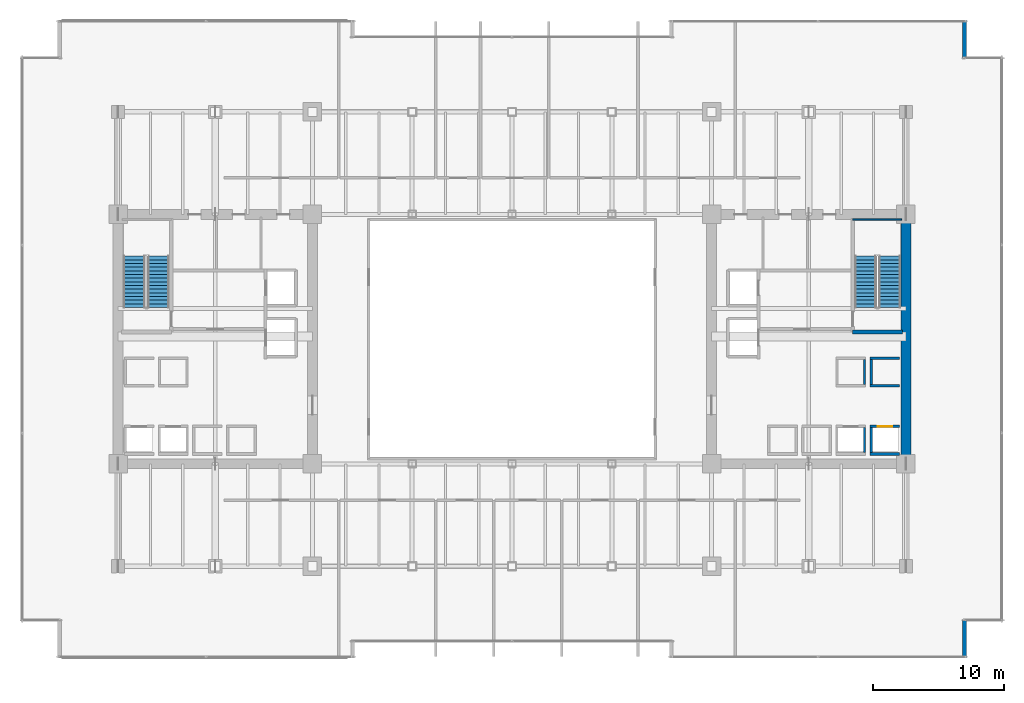
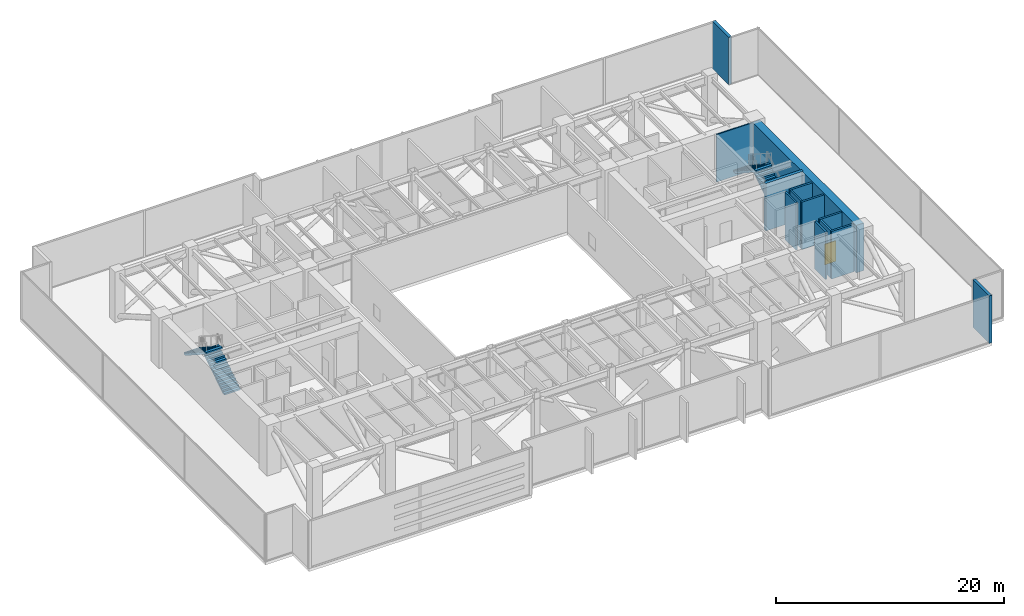
# One storey, part 35 of 38: 13 walls, 4 stair flights, 1 door, 1 opening, 2 elements without a shape of their own.
"""IFC4 building model written with IfcOpenShell, lengths in metres."""

from ifc_helpers import new_model, si_unit, direction, frame, frame_2d, origin, place, context, subcontext, project, spatial, polyline, rectangle, outline, extrude, source, transform, mapped, material, layer, layer_set, type_object, type_shapes, element, fill, aggregate, save


model = new_model("IFC4")

# Units and contexts
model_context = context("Model", 3, precision=1e-05, world=origin(), true_north=direction((0.0, 1.0)))
body_context = subcontext(model_context, "Body", "Model", "MODEL_VIEW")
ifc_project = project(units=[si_unit("LENGTHUNIT", "METRE"), si_unit("AREAUNIT", "SQUARE_METRE"), si_unit("VOLUMEUNIT", "CUBIC_METRE"), si_unit("PLANEANGLEUNIT", "RADIAN"), si_unit("MASSUNIT", "GRAM", prefix="KILO")], contexts=[model_context])

# Site, building, storey
site_placement = place(None, origin())
site = spatial("IfcSite", under=ifc_project, at=site_placement, CompositionType="ELEMENT")
building_placement = place(site_placement, origin())
building = spatial("IfcBuilding", under=site, at=building_placement, Name="Haelvirn Gate Laboratories", CompositionType="ELEMENT")
storey_placement = place(building_placement, frame((0.0, 0.0, 94.89990234375)))
storey = spatial("IfcBuildingStorey", under=building, at=storey_placement, Name="L23", CompositionType="ELEMENT", Elevation=94.89990234375)

# Walls
ifc_material_1 = material(Name="Thermally-broken bronze aluminium rainscreen & mineral wool", Category="aluminium")
ifc_layer_1 = layer(ifc_material_1, 0.280029296875, Name="EW-TERR-280")
ifc_layer_set_1 = layer_set([ifc_layer_1], Name="Thermally-broken bronze aluminium rainscreen & mineral wool")
wall_type_1 = type_object("IfcWallType", Name="EW-TERR-280", PredefinedType="STANDARD", material=ifc_layer_set_1)
wall_1_placement = place(storey_placement, frame((71.860107421875, 0.0, 0.0), z_axis=(0.0, 0.0, 1.0), x_axis=(0.0, 1.0, 0.0)))
element("IfcWall", 1, at=wall_1_placement, inside=storey, type_object=wall_type_1, Name="L23 Atrium Recess Bronze Return Wall 05", PredefinedType="STANDARD", context=body_context, shape_type="SweptSolid", body=[
    extrude(rectangle(XDim=2.887939453125, YDim=0.280029296875, at=frame_2d((1.44384765625, 0.0))), origin(), (0.0, 0.0, 1.0), 5.090087890625),
])
wall_2_placement = place(storey_placement, frame((71.860107421875, 45.7119140625, 0.0), z_axis=(0.0, 0.0, 1.0), x_axis=(0.0, 1.0, 0.0)))
element("IfcWall", 2, at=wall_2_placement, inside=storey, type_object=wall_type_1, Name="L23 Atrium Recess Bronze Return Wall 09", PredefinedType="STANDARD", context=body_context, shape_type="SweptSolid", body=[
    extrude(rectangle(XDim=2.88818359375, YDim=0.280029296875, at=frame_2d((1.444091796875, 0.0))), origin(), (0.0, 0.0, 1.0), 5.090087890625),
])
ifc_material_2 = material(Name="Concrete C40/50", Category="concrete")
ifc_layer_2 = layer(ifc_material_2, 0.179931640625, Name="IW-SHAFT-180")
ifc_layer_set_2 = layer_set([ifc_layer_2], Name="Concrete C40/50")
wall_type_2 = type_object("IfcWallType", Name="IW-SHAFT-180", PredefinedType="SOLIDWALL", material=ifc_layer_set_2)
for number, where, z_axis, x_axis, name in (
    (3, (64.75, 15.64990234375, 0.0), (0.0, 0.0, 1.0), (0.0, 1.0, 0.0), "L23 Interior Wall IW-L23-PL3-SD"),
    (4, (64.25, 15.64990234375, 0.0), (0.0, 0.0, 1.0), (0.0, 1.0, 0.0), "L23 Interior Wall IW-L23-PL4-SDE"),
):
    element("IfcWall", number, at=place(storey_placement, frame(where, z_axis=z_axis, x_axis=x_axis)), inside=storey, type_object=wall_type_2, Name=name, PredefinedType="SOLIDWALL", context=body_context, shape_type="SweptSolid", body=[
        extrude(rectangle(XDim=1.900146484375, YDim=0.179931640625, at=frame_2d((0.9501953125, 0.0))), origin(), (0.0, 0.0, 1.0), 5.090087890625),
    ])
for number, where, z_axis, x_axis, name in (
    (5, (64.75, 20.85009765625, 0.0), (0.0, 0.0, 1.0), (0.0, 1.0, 0.0), "L23 Interior Wall IW-L23-PL11-SD"),
    (6, (64.25, 20.85009765625, 0.0), (0.0, 0.0, 1.0), (0.0, 1.0, 0.0), "L23 Interior Wall IW-L23-PL12-SDE"),
):
    element("IfcWall", number, at=place(storey_placement, frame(where, z_axis=z_axis, x_axis=x_axis)), inside=storey, type_object=wall_type_2, Name=name, PredefinedType="SOLIDWALL", context=body_context, shape_type="SweptSolid", body=[
        extrude(rectangle(XDim=1.89990234375, YDim=0.179931640625, at=frame_2d((0.949951171875, 0.0))), origin(), (0.0, 0.0, 1.0), 5.090087890625),
    ])

# Wall, opening, door
ifc_layer_3 = layer(ifc_material_2, 0.199951171875, Name="IW-SHAFT-200")
ifc_layer_set_3 = layer_set([ifc_layer_3], Name="Concrete C40/50")
wall_type_3 = type_object("IfcWallType", Name="IW-SHAFT-200", PredefinedType="SOLIDWALL", material=ifc_layer_set_3)
wall_3_placement = place(storey_placement, frame((64.669921875, 17.64990234375, 0.0), z_axis=(0.0, 0.0, 1.0), x_axis=(1.0, 0.0, 0.0)))
wall_3 = element("IfcWall", 7, at=wall_3_placement, inside=storey, type_object=wall_type_3, Name="L23 Interior Wall IW-L23-PL3-FR", PredefinedType="SOLIDWALL", context=body_context, shape_type="SweptSolid", body=[
    extrude(rectangle(XDim=2.260009765625, YDim=0.199951171875, at=frame_2d((1.1298828125, 0.0))), origin(), (0.0, 0.0, 1.0), 5.090087890625),
])
opening_placement = place(wall_3_placement, frame((0.580078125, 0.0, 0.0)))
opening = element("IfcOpeningElement", 8, at=opening_placement, cuts=wall_3, Name="Opening LD2", PredefinedType="OPENING", context=body_context, shape_type="SweptSolid", body=[
    extrude(rectangle(XDim=1.10009765625, YDim=2.219970703125, at=frame_2d((0.550048828125, 1.10986328125))), frame((0.0, 0.10986328125, 0.0), z_axis=(0.0, -1.0, 0.0), x_axis=(1.0, 0.0, 0.0)), (0.0, 0.0, 1.0), 0.219970703125),
])
ifc_material_3 = material(Name="Bronze stainless 316L sliding lift landing door")
door_type = type_object("IfcDoorType", Name="DR-LD-1100", OperationType="NOTDEFINED", PredefinedType="USERDEFINED", material=ifc_material_3)
shared_shape_1 = source(origin(), body_context, "Body", "SweptSolid", [
    extrude(rectangle(XDim=1.10009765625, YDim=2.219970703125, at=frame_2d((0.550048828125, 1.10986328125))), frame((0.0, 0.02490234375, 0.0), z_axis=(0.0, -1.0, 0.0), x_axis=(1.0, 0.0, 0.0)), (0.0, 0.0, 1.0), 0.050048828125),
])
type_shapes(door_type, [shared_shape_1])
door_placement = place(opening_placement, origin())
door = element("IfcDoor", 9, at=door_placement, inside=storey, type_object=door_type, Name="L23 Passenger Lift PL3 Landing Door", ObjectType="LANDING_DOOR", OperationType="SLIDING_TO_LEFT", OverallHeight=2.219970703125, OverallWidth=1.10009765625, PredefinedType="USERDEFINED", context=body_context, shape_type="MappedRepresentation", body=[
    mapped(shared_shape_1, transform((0.0, 0.0, 0.0), scale=1.0)),
])
fill(opening, door)

# Walls
for number, where, z_axis, x_axis, name in (
    (10, (64.669921875, 15.550048828125, 0.0), (0.0, 0.0, 1.0), (1.0, 0.0, 0.0), "L23 Interior Wall IW-L23-PL3-BK"),
    (11, (64.669921875, 20.75, 0.0), (0.0, 0.0, 1.0), (1.0, 0.0, 0.0), "L23 Interior Wall IW-L23-PL11-FR"),
    (12, (64.669921875, 22.85009765625, 0.0), (0.0, 0.0, 1.0), (1.0, 0.0, 0.0), "L23 Interior Wall IW-L23-PL11-BK"),
):
    element("IfcWall", number, at=place(storey_placement, frame(where, z_axis=z_axis, x_axis=x_axis)), inside=storey, type_object=wall_type_3, Name=name, PredefinedType="SOLIDWALL", context=body_context, shape_type="SweptSolid", body=[
        extrude(rectangle(XDim=2.260009765625, YDim=0.199951171875, at=frame_2d((1.1298828125, 0.0))), origin(), (0.0, 0.0, 1.0), 5.090087890625),
    ])
ifc_material_4 = material(Name="Concrete C70/85", Category="concrete")
ifc_layer_4 = layer(ifc_material_4, 0.75, Name="SW-CORE-750")
ifc_layer_set_4 = layer_set([ifc_layer_4], Name="Concrete C70/85")
wall_type_4 = type_object("IfcWallType", Name="SW-CORE-750", PredefinedType="SHEAR", material=ifc_layer_set_4)
wall_4_placement = place(storey_placement, frame((67.39990234375, 15.175048828125, 0.0), z_axis=(0.0, 0.0, 1.0), x_axis=(0.0, 1.0, 0.0)))
element("IfcWall", 13, at=wall_4_placement, inside=storey, type_object=wall_type_4, Name="L23 E Core Shear Wall E", PredefinedType="SHEAR", context=body_context, shape_type="SweptSolid", body=[
    extrude(rectangle(XDim=18.25, YDim=0.75, at=frame_2d((9.125, 0.0))), origin(), (0.0, 0.0, 1.0), 5.090087890625),
])
ifc_material_5 = material(Name="Concrete C50/60", Category="concrete")
ifc_layer_5 = layer(ifc_material_5, 0.1201171875, Name="SW-LINER-120")
ifc_layer_set_5 = layer_set([ifc_layer_5], Name="Concrete C50/60")
wall_type_5 = type_object("IfcWallType", Name="SW-LINER-120", PredefinedType="SOLIDWALL", material=ifc_layer_set_5)
wall_5_placement = place(storey_placement, frame((63.35009765625, 33.39990234375, 0.0), z_axis=(0.0, 0.0, 1.0), x_axis=(1.0, 0.0, 0.0)))
element("IfcWall", 14, at=wall_5_placement, inside=storey, type_object=wall_type_5, Name="L23 E Core Stair Shaft Liner Wall N", PredefinedType="SOLIDWALL", context=body_context, shape_type="SweptSolid", body=[
    extrude(rectangle(XDim=3.719970703125, YDim=0.1201171875, at=frame_2d((1.85986328125, 0.0))), origin(), (0.0, 0.0, 1.0), 5.090087890625),
])
ifc_layer_6 = layer(ifc_material_5, 0.300048828125, Name="SW-STAIR-300")
ifc_layer_set_6 = layer_set([ifc_layer_6], Name="Concrete C50/60")
wall_type_6 = type_object("IfcWallType", Name="SW-STAIR-300", PredefinedType="SHEAR", material=ifc_layer_set_6)
wall_6_placement = place(storey_placement, frame((63.35009765625, 24.85009765625, 0.0), z_axis=(0.0, 0.0, 1.0), x_axis=(1.0, 0.0, 0.0)))
element("IfcWall", 15, at=wall_6_placement, inside=storey, type_object=wall_type_6, Name="L23 E Core Stair Shaft Structural Wall S", PredefinedType="SHEAR", context=body_context, shape_type="SweptSolid", body=[
    extrude(rectangle(XDim=3.7998046875, YDim=0.300048828125, at=frame_2d((1.89990234375, 0.0))), origin(), (0.0, 0.0, 1.0), 5.090087890625),
])

# Stair, stair flights
stair_type = type_object("IfcStairType", Name="ST-DOG-1650-R30", PredefinedType="HALF_TURN_STAIR", material=ifc_material_2)
stair_1_placement = place(storey_placement, origin())
stair_1 = element("IfcStair", 16, at=stair_1_placement, inside=storey, type_object=stair_type, Name="L23 Escape Stair ST1", PredefinedType="HALF_TURN_STAIR")
stair_flight_type = type_object("IfcStairFlightType", Name="STF-1650-R15", PredefinedType="STRAIGHT", material=ifc_material_2)
shared_shape_2 = source(origin(), body_context, "Body", "SweptSolid", [
    extrude(outline(polyline([(0.0, 0.0), (0.0, 0.179931640625), (0.280029296875, 0.179931640625), (0.280029296875, 0.360107421875), (0.56005859375, 0.360107421875), (0.56005859375, 0.5400390625), (0.840087890625, 0.5400390625), (0.840087890625, 0.719970703125), (1.1201171875, 0.719970703125), (1.1201171875, 0.89990234375), (1.39990234375, 0.89990234375), (1.39990234375, 1.080078125), (1.679931640625, 1.080078125), (1.679931640625, 1.260009765625), (1.9599609375, 1.260009765625), (1.9599609375, 1.43994140625), (2.239990234375, 1.43994140625), (2.239990234375, 1.6201171875), (2.52001953125, 1.6201171875), (2.52001953125, 1.800048828125), (2.800048828125, 1.800048828125), (2.800048828125, 1.97998046875), (3.080078125, 1.97998046875), (3.080078125, 2.159912109375), (3.360107421875, 2.159912109375), (3.360107421875, 2.340087890625), (3.639892578125, 2.340087890625), (3.639892578125, 2.52001953125), (3.919921875, 2.52001953125), (3.919921875, 2.699951171875), (3.919921875, 2.329833984375), (0.295654296875, 0.0), (0.0, 0.0)])), frame((0.0, 0.824951171875, 0.0), z_axis=(0.0, -1.0, 0.0), x_axis=(1.0, 0.0, 0.0)), (0.0, 0.0, 1.0), 1.64990234375),
])
type_shapes(stair_flight_type, [shared_shape_2])
stair_flight_1_placement = place(storey_placement, frame((10.47509765625, 26.699951171875, 0.0), z_axis=(0.0, 0.0, 1.0), x_axis=(0.0, 1.0, 0.0)))
stair_flight_1 = element("IfcStairFlight", 17, at=stair_flight_1_placement, type_object=stair_flight_type, Name="ST1 flight 1", NumberOfRisers=15, NumberOfTreads=14, PredefinedType="STRAIGHT", RiserHeight=0.18, TreadLength=0.28, context=body_context, shape_type="MappedRepresentation", body=[
    mapped(shared_shape_2, transform((0.0, 0.0, 0.0), scale=1.0)),
])
stair_flight_2_placement = place(storey_placement, frame((8.625, 30.6201171875, 2.7001953125), z_axis=(0.0, 0.0, 1.0), x_axis=(0.0, -1.0, 0.0)))
stair_flight_2 = element("IfcStairFlight", 18, at=stair_flight_2_placement, type_object=stair_flight_type, Name="ST1 flight 2", NumberOfRisers=15, NumberOfTreads=14, PredefinedType="STRAIGHT", RiserHeight=0.18, TreadLength=0.28, context=body_context, shape_type="MappedRepresentation", body=[
    mapped(shared_shape_2, transform((0.0, 0.0, 0.0), scale=1.0)),
])
aggregate(stair_1, [stair_flight_1, stair_flight_2])

stair_2_placement = place(storey_placement, origin())
stair_2 = element("IfcStair", 19, at=stair_2_placement, inside=storey, type_object=stair_type, Name="L23 Escape Stair ST2", PredefinedType="HALF_TURN_STAIR")
stair_flight_3_placement = place(storey_placement, frame((66.175048828125, 26.699951171875, 0.0), z_axis=(0.0, 0.0, 1.0), x_axis=(0.0, 1.0, 0.0)))
stair_flight_3 = element("IfcStairFlight", 20, at=stair_flight_3_placement, type_object=stair_flight_type, Name="ST2 flight 1", NumberOfRisers=15, NumberOfTreads=14, PredefinedType="STRAIGHT", RiserHeight=0.18, TreadLength=0.28, context=body_context, shape_type="MappedRepresentation", body=[
    mapped(shared_shape_2, transform((0.0, 0.0, 0.0), scale=1.0)),
])
stair_flight_4_placement = place(storey_placement, frame((64.324951171875, 30.6201171875, 2.7001953125), z_axis=(0.0, 0.0, 1.0), x_axis=(0.0, -1.0, 0.0)))
stair_flight_4 = element("IfcStairFlight", 21, at=stair_flight_4_placement, type_object=stair_flight_type, Name="ST2 flight 2", NumberOfRisers=15, NumberOfTreads=14, PredefinedType="STRAIGHT", RiserHeight=0.18, TreadLength=0.28, context=body_context, shape_type="MappedRepresentation", body=[
    mapped(shared_shape_2, transform((0.0, 0.0, 0.0), scale=1.0)),
])
aggregate(stair_2, [stair_flight_3, stair_flight_4])

save(model, "model.ifc")
